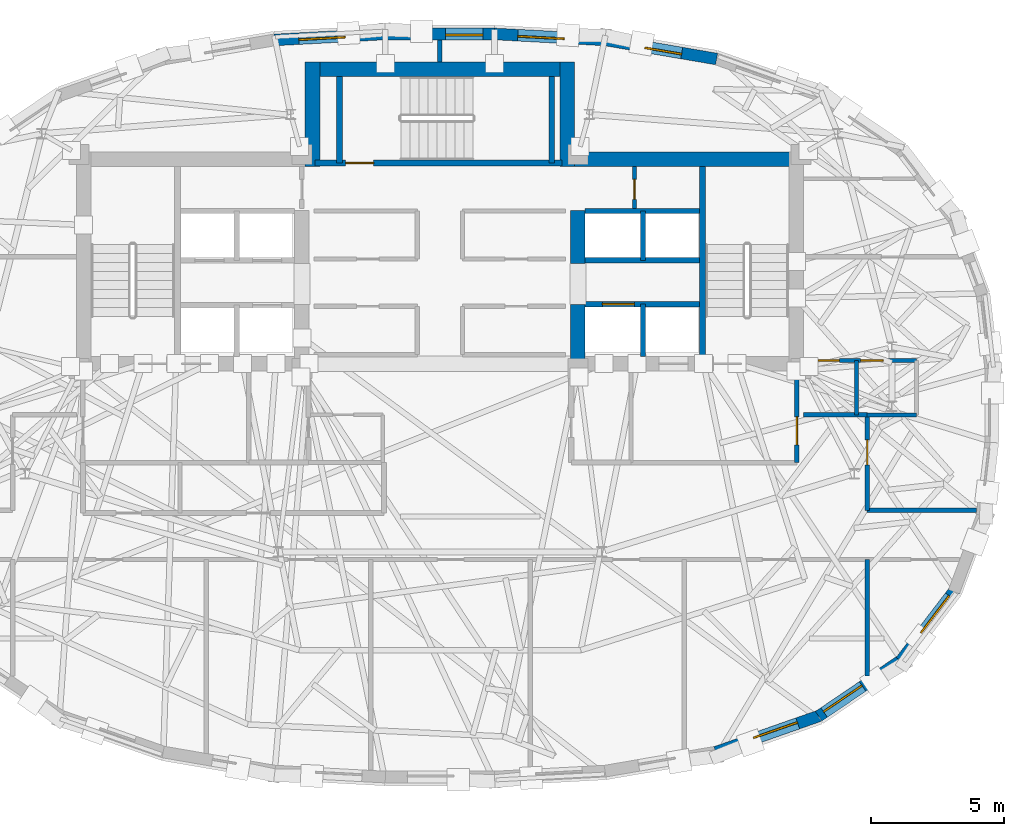
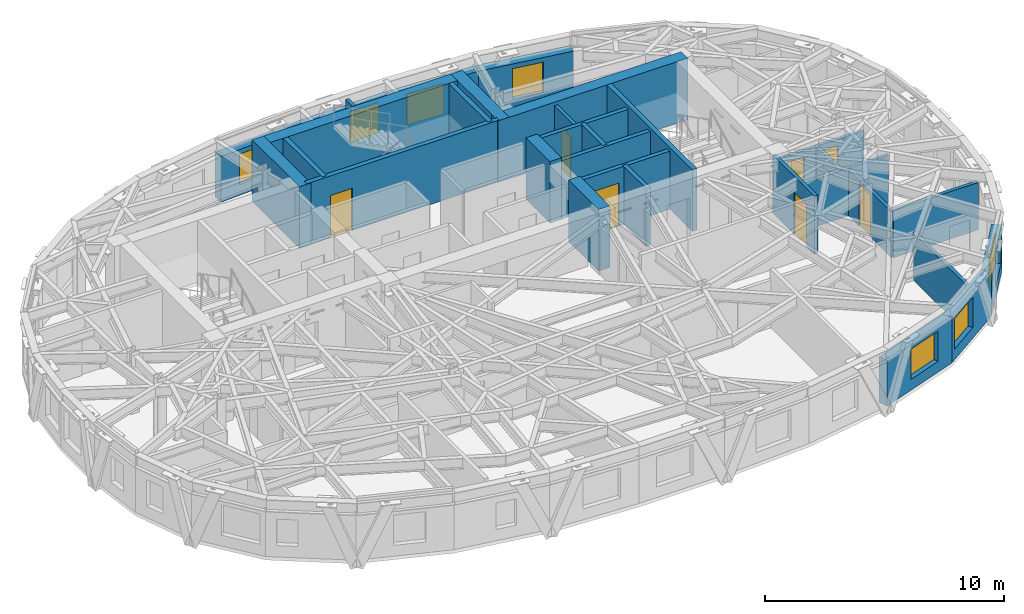
# One storey, part 8 of 12: 32 walls, 7 doors, 7 windows, 14 openings.
"""IFC4 building model written with IfcOpenShell, lengths in metres."""

from ifc_helpers import new_model, si_unit, direction, frame, frame_2d, origin, place, context, subcontext, project, spatial, rectangle, extrude, material, layer, layer_set, type_object, element, fill, save


model = new_model("IFC4")

# Units and contexts
model_context = context("Model", 3, precision=1e-05, world=origin(), true_north=direction((0.0, 1.0)))
body_context = subcontext(model_context, "Body", "Model", "MODEL_VIEW")
ifc_project = project(units=[si_unit("LENGTHUNIT", "METRE"), si_unit("AREAUNIT", "SQUARE_METRE"), si_unit("VOLUMEUNIT", "CUBIC_METRE"), si_unit("PLANEANGLEUNIT", "RADIAN"), si_unit("MASSUNIT", "GRAM", prefix="KILO")], contexts=[model_context])

# Site, building, storey
site_placement = place(None, origin())
site = spatial("IfcSite", under=ifc_project, at=site_placement, CompositionType="ELEMENT")
building_placement = place(site_placement, origin())
building = spatial("IfcBuilding", under=site, at=building_placement, Name="Keldmark Tower", CompositionType="ELEMENT")
storey_placement = place(building_placement, frame((0.0, 0.0, 254.10009765625)))
storey = spatial("IfcBuildingStorey", under=building, at=storey_placement, Name="L72", CompositionType="ELEMENT", Elevation=254.10009765625)

# Walls
ifc_material_1 = material(Name="Concrete C50/60", Category="concrete")
ifc_layer_1 = layer(ifc_material_1, 0.550048828125)
ifc_layer_set_1 = layer_set([ifc_layer_1], Name="Concrete C50/60")
wall_type_1 = type_object("IfcWallType", Name="High-Rise Core Shear Wall 550 mm", PredefinedType="SHEAR", material=ifc_layer_set_1)
wall_1_placement = place(storey_placement, frame((4.52490234375, 9.27490234375, 0.0), z_axis=(0.0, 0.0, 1.0), x_axis=(1.0, 0.0, 0.0)))
element("IfcWall", 1, at=wall_1_placement, inside=storey, type_object=wall_type_1, Name="L72 East Core North Shear Wall", PredefinedType="SHEAR", context=body_context, shape_type="SweptSolid", body=[
    extrude(rectangle(XDim=9.175048828125, YDim=0.550048828125, at=frame_2d((4.58740234375, 0.0))), origin(), (0.0, 0.0, 1.0), 3.14990234375),
])
wall_2_placement = place(storey_placement, frame((5.199951171875, 1.300048828125, 0.0), z_axis=(0.0, 0.0, 1.0), x_axis=(0.0, 1.0, 0.0)))
element("IfcWall", 2, at=wall_2_placement, inside=storey, type_object=wall_type_1, Name="L72 East Core Inner Shear Pier South", PredefinedType="SHEAR", context=body_context, shape_type="SweptSolid", body=[
    extrude(rectangle(XDim=2.5, YDim=0.550048828125, at=frame_2d((1.25, 0.0))), origin(), (0.0, 0.0, 1.0), 3.14990234375),
])
wall_3_placement = place(storey_placement, frame((5.199951171875, 5.35009765625, 0.0), z_axis=(0.0, 0.0, 1.0), x_axis=(0.0, 1.0, 0.0)))
element("IfcWall", 3, at=wall_3_placement, inside=storey, type_object=wall_type_1, Name="L72 East Core Inner Shear Pier North", PredefinedType="SHEAR", context=body_context, shape_type="SweptSolid", body=[
    extrude(rectangle(XDim=2.0, YDim=0.550048828125, at=frame_2d((1.0, 0.0))), origin(), (0.0, 0.0, 1.0), 3.14990234375),
])
wall_4_placement = place(storey_placement, frame((-5.074951171875, 12.675048828125, 0.0), z_axis=(0.0, 0.0, 1.0), x_axis=(1.0, 0.0, 0.0)))
element("IfcWall", 4, at=wall_4_placement, inside=storey, type_object=wall_type_1, Name="L72 North Core Shear Wall", PredefinedType="SHEAR", context=body_context, shape_type="SweptSolid", body=[
    extrude(rectangle(XDim=10.14990234375, YDim=0.550048828125, at=frame_2d((5.074951171875, 0.0))), origin(), (0.0, 0.0, 1.0), 3.14990234375),
])
for number, where, z_axis, x_axis, name in (
    (5, (-4.800048828125, 9.0, 0.0), (0.0, 0.0, 1.0), (0.0, 1.0, 0.0), "L72 North Core West Shear Wall"),
    (6, (4.800048828125, 9.0, 0.0), (0.0, 0.0, 1.0), (0.0, 1.0, 0.0), "L72 North Core East Shear Wall"),
):
    element("IfcWall", number, at=place(storey_placement, frame(where, z_axis=z_axis, x_axis=x_axis)), inside=storey, type_object=wall_type_1, Name=name, PredefinedType="SHEAR", context=body_context, shape_type="SweptSolid", body=[
        extrude(rectangle(XDim=3.949951171875, YDim=0.550048828125, at=frame_2d((1.97509765625, 0.0))), origin(), (0.0, 0.0, 1.0), 3.14990234375),
    ])

# Wall, opening, door
ifc_material_2 = material(Name="Type X Fire-Rated Gypsum Partition Assembly", Category="gypsum")
ifc_layer_2 = layer(ifc_material_2, 0.1650390625)
ifc_layer_set_2 = layer_set([ifc_layer_2], Name="Type X Fire-Rated Gypsum Partition Assembly")
wall_type_2 = type_object("IfcWallType", Name="Rated Partition 165 mm", PredefinedType="PARTITIONING", material=ifc_layer_set_2)
wall_5_placement = place(storey_placement, frame((13.449951171875, -2.14990234375, 0.0), z_axis=(0.0, 0.0, 1.0), x_axis=(0.0, 1.0, 0.0)))
wall_5 = element("IfcWall", 7, at=wall_5_placement, inside=storey, type_object=wall_type_2, Name="L72 Rated Partition 165 mm FSAE-E-E", PredefinedType="PARTITIONING", context=body_context, shape_type="SweptSolid", body=[
    extrude(rectangle(XDim=3.5, YDim=0.1650390625, at=frame_2d((1.75, 0.0))), origin(), (0.0, 0.0, 1.0), 2.969970703125),
])
opening_1_placement = place(wall_5_placement, frame((0.669921875, 0.0, 0.0)))
opening_1 = element("IfcOpeningElement", 8, at=opening_1_placement, cuts=wall_5, Name="Opening D-FL105", PredefinedType="OPENING", context=body_context, shape_type="SweptSolid", body=[
    extrude(rectangle(XDim=1.050048828125, YDim=2.14990234375, at=frame_2d((0.52490234375, 1.074951171875))), frame((0.0, 0.092529296875, 0.0), z_axis=(0.0, -1.0, 0.0), x_axis=(1.0, 0.0, 0.0)), (0.0, 0.0, 1.0), 0.18505859375),
])
ifc_material_3 = material(Name="Fire-Rated Mineral-Core Door and Vision Lite", Category="metal")
door_type_1 = type_object("IfcDoorType", Name="Fire Lobby Door 1050x2150", OperationType="NOTDEFINED", PredefinedType="DOOR", material=ifc_material_3)
door_1_placement = place(opening_1_placement, origin())
door_1 = element("IfcDoor", 9, at=door_1_placement, inside=storey, type_object=door_type_1, Name="L72 Fire Lobby Door 1050x2150 D-FSAEE-OUT-L72", OperationType="SINGLE_SWING_RIGHT", OverallHeight=2.14990234375, OverallWidth=1.050048828125, PredefinedType="DOOR", context=body_context, shape_type="SweptSolid", body=[
    extrude(rectangle(XDim=1.050048828125, YDim=2.14990234375, at=frame_2d((0.52490234375, 1.074951171875))), frame((0.0, 0.02490234375, 0.0), z_axis=(0.0, -1.0, 0.0), x_axis=(1.0, 0.0, 0.0)), (0.0, 0.0, 1.0), 0.050048828125),
])
fill(opening_1, door_1)

wall_6_placement = place(storey_placement, frame((7.330078125, 7.419921875, 0.0), z_axis=(0.0, 0.0, 1.0), x_axis=(0.0, 1.0, 0.0)))
wall_6 = element("IfcWall", 10, at=wall_6_placement, inside=storey, type_object=wall_type_2, Name="L72 Rated Partition 165 mm CS-NE-W", PredefinedType="PARTITIONING", context=body_context, shape_type="SweptSolid", body=[
    extrude(rectangle(XDim=1.580078125, YDim=0.1650390625, at=frame_2d((0.7900390625, 0.0))), origin(), (0.0, 0.0, 1.0), 2.969970703125),
])
opening_2_placement = place(wall_6_placement, frame((0.35009765625, 0.0, 0.0)))
opening_2 = element("IfcOpeningElement", 11, at=opening_2_placement, cuts=wall_6, Name="Opening D-RS075", PredefinedType="OPENING", context=body_context, shape_type="SweptSolid", body=[
    extrude(rectangle(XDim=0.75, YDim=2.10009765625, at=frame_2d((0.375, 1.050048828125))), frame((0.0, 0.092529296875, 0.0), z_axis=(0.0, -1.0, 0.0), x_axis=(1.0, 0.0, 0.0)), (0.0, 0.0, 1.0), 0.18505859375),
])
ifc_material_4 = material(Name="Galvanized Fire-Rated Access Leaf", Category="metal")
door_type_2 = type_object("IfcDoorType", Name="Riser Access Door 750x2100", OperationType="NOTDEFINED", PredefinedType="DOOR", material=ifc_material_4)
door_2_placement = place(opening_2_placement, origin())
door_2 = element("IfcDoor", 12, at=door_2_placement, inside=storey, type_object=door_type_2, Name="L72 Riser Access Door 750x2100 D-CSNE1-L72", OperationType="SINGLE_SWING_RIGHT", OverallHeight=2.10009765625, OverallWidth=0.75, PredefinedType="DOOR", context=body_context, shape_type="SweptSolid", body=[
    extrude(rectangle(XDim=0.75, YDim=2.10009765625, at=frame_2d((0.375, 1.050048828125))), frame((0.0, 0.02490234375, 0.0), z_axis=(0.0, -1.0, 0.0), x_axis=(1.0, 0.0, 0.0)), (0.0, 0.0, 1.0), 0.050048828125),
])
fill(opening_2, door_2)

# Wall
wall_7_placement = place(storey_placement, frame((16.10009765625, -3.949951171875, 0.0), z_axis=(0.0, 0.0, 1.0), x_axis=(1.0, 0.0, 0.0)))
element("IfcWall", 13, at=wall_7_placement, inside=storey, type_object=wall_type_2, Name="L72 Rated Partition 165 mm RCOR-EN-OUT", PredefinedType="PARTITIONING", context=body_context, shape_type="SweptSolid", body=[
    extrude(rectangle(XDim=4.120361328125, YDim=0.1650390625, at=frame_2d((2.06005859375, 0.0))), origin(), (0.0, 0.0, 1.0), 2.4228515625),
])

# Wall, opening, door
wall_8_placement = place(storey_placement, frame((16.10009765625, -3.949951171875, 0.0), z_axis=(0.0, 0.0, 1.0), x_axis=(0.0, 1.0, 0.0)))
wall_8 = element("IfcWall", 14, at=wall_8_placement, inside=storey, type_object=wall_type_2, Name="L72 Rated Partition 165 mm RCOR-VE", PredefinedType="PARTITIONING", context=body_context, shape_type="SweptSolid", body=[
    extrude(rectangle(XDim=3.599853515625, YDim=0.1650390625, at=frame_2d((1.7998046875, 0.0))), origin(), (0.0, 0.0, 1.0), 2.35693359375),
])
opening_3_placement = place(wall_8_placement, frame((1.7099609375, 0.0, 0.0)))
opening_3 = element("IfcOpeningElement", 15, at=opening_3_placement, cuts=wall_8, Name="Opening D-AP095", PredefinedType="OPENING", context=body_context, shape_type="SweptSolid", body=[
    extrude(rectangle(XDim=0.949951171875, YDim=2.14990234375, at=frame_2d((0.47509765625, 1.074951171875))), frame((0.0, 0.092529296875, 0.0), z_axis=(0.0, -1.0, 0.0), x_axis=(1.0, 0.0, 0.0)), (0.0, 0.0, 1.0), 0.18505859375),
])
ifc_material_5 = material(Name="Solid-Core Walnut Fire-Rated Entry Assembly", Category="wood")
door_type_3 = type_object("IfcDoorType", Name="Apartment Entry Door 950x2150", OperationType="NOTDEFINED", PredefinedType="DOOR", material=ifc_material_5)
door_3_placement = place(opening_3_placement, origin())
door_3 = element("IfcDoor", 16, at=door_3_placement, inside=storey, type_object=door_type_3, Name="L72 Apartment Entry Door 950x2150 D-UA-ENT-L72", OperationType="SINGLE_SWING_RIGHT", OverallHeight=2.14990234375, OverallWidth=0.949951171875, PredefinedType="DOOR", context=body_context, shape_type="SweptSolid", body=[
    extrude(rectangle(XDim=0.949951171875, YDim=2.14990234375, at=frame_2d((0.47509765625, 1.074951171875))), frame((0.0, 0.02490234375, 0.0), z_axis=(0.0, -1.0, 0.0), x_axis=(1.0, 0.0, 0.0)), (0.0, 0.0, 1.0), 0.050048828125),
])
fill(opening_3, door_3)

# Walls
wall_9_placement = place(storey_placement, frame((13.699951171875, -0.35009765625, 0.0), z_axis=(0.0, 0.0, 1.0), x_axis=(1.0, 0.0, 0.0)))
element("IfcWall", 17, at=wall_9_placement, inside=storey, type_object=wall_type_2, Name="L72 Rated Partition 165 mm RCOR-VEN", PredefinedType="PARTITIONING", context=body_context, shape_type="SweptSolid", body=[
    extrude(rectangle(XDim=2.400146484375, YDim=0.1650390625, at=frame_2d((1.2001953125, 0.0))), origin(), (0.0, 0.0, 1.0), 2.4228515625),
])
wall_10_placement = place(storey_placement, frame((0.0, 12.949951171875, 0.0), z_axis=(0.0, 0.0, 1.0), x_axis=(0.0, 1.0, 0.0)))
element("IfcWall", 18, at=wall_10_placement, inside=storey, type_object=wall_type_2, Name="L72 Rated Partition 165 mm RN-DIV", PredefinedType="PARTITIONING", context=body_context, shape_type="SweptSolid", body=[
    extrude(rectangle(XDim=0.82080078125, YDim=0.1650390625, at=frame_2d((0.410400390625, 0.0))), origin(), (0.0, 0.0, 1.0), 2.969970703125),
])
wall_11_placement = place(storey_placement, frame((16.10009765625, -10.191162109375, 0.0), z_axis=(0.0, 0.0, 1.0), x_axis=(0.0, 1.0, 0.0)))
element("IfcWall", 19, at=wall_11_placement, inside=storey, type_object=wall_type_2, Name="L72 Rated Partition 165 mm RS-ECAP", PredefinedType="PARTITIONING", context=body_context, shape_type="SweptSolid", body=[
    extrude(rectangle(XDim=4.39111328125, YDim=0.1650390625, at=frame_2d((2.195556640625, 0.0))), origin(), (0.0, 0.0, 1.0), 2.4228515625),
])

# Wall, opening, door
ifc_material_6 = material(Name="Fire-Resistant Type X Gypsum Shaftliner Coreboard", Category="gypsum")
ifc_layer_3 = layer(ifc_material_6, 0.199951171875)
ifc_layer_set_3 = layer_set([ifc_layer_3], Name="Fire-Resistant Type X Gypsum Shaftliner Coreboard")
wall_type_3 = type_object("IfcWallType", Name="Shaft Wall 200 mm", PredefinedType="SOLIDWALL", material=ifc_layer_set_3)
wall_12_placement = place(storey_placement, frame((5.47509765625, 3.820068359375, 0.0), z_axis=(0.0, 0.0, 1.0), x_axis=(1.0, 0.0, 0.0)))
wall_12 = element("IfcWall", 20, at=wall_12_placement, inside=storey, type_object=wall_type_3, Name="L72 Shaft Wall 200 mm HW-E-S", PredefinedType="SOLIDWALL", context=body_context, shape_type="SweptSolid", body=[
    extrude(rectangle(XDim=4.304931640625, YDim=0.199951171875, at=frame_2d((2.15234375, 0.0))), origin(), (0.0, 0.0, 1.0), 2.969970703125),
])
opening_4_placement = place(wall_12_placement, frame((0.64990234375, 0.0, 0.0)))
opening_4 = element("IfcOpeningElement", 21, at=opening_4_placement, cuts=wall_12, Name="Opening LD-120", PredefinedType="OPENING", context=body_context, shape_type="SweptSolid", body=[
    extrude(rectangle(XDim=1.199951171875, YDim=2.199951171875, at=frame_2d((0.60009765625, 1.10009765625))), frame((0.0, 0.10986328125, 0.0), z_axis=(0.0, -1.0, 0.0), x_axis=(1.0, 0.0, 0.0)), (0.0, 0.0, 1.0), 0.219970703125),
])
ifc_material_7 = material(Name="Heavy-Duty Brushed Metal Hoistway Sliding Leaf", Category="metal")
door_type_4 = type_object("IfcDoorType", Name="Service Lift Sliding Door 1200x2200", OperationType="SLIDING_TO_RIGHT", PredefinedType="DOOR", material=ifc_material_7)
door_4_placement = place(opening_4_placement, origin())
door_4 = element("IfcDoor", 22, at=door_4_placement, inside=storey, type_object=door_type_4, Name="L72 Service Lift Sliding Door 1200x2200 LD-EL-SV1-L72", OperationType="SLIDING_TO_RIGHT", OverallHeight=2.199951171875, OverallWidth=1.199951171875, PredefinedType="DOOR", context=body_context, shape_type="SweptSolid", body=[
    extrude(rectangle(XDim=1.199951171875, YDim=2.199951171875, at=frame_2d((0.60009765625, 1.10009765625))), frame((0.0, 0.02490234375, 0.0), z_axis=(0.0, -1.0, 0.0), x_axis=(1.0, 0.0, 0.0)), (0.0, 0.0, 1.0), 0.050048828125),
])
fill(opening_4, door_4)

# Walls
wall_13_placement = place(storey_placement, frame((7.64990234375, 1.85009765625, 0.0), z_axis=(0.0, 0.0, 1.0), x_axis=(0.0, 1.0, 0.0)))
element("IfcWall", 23, at=wall_13_placement, inside=storey, type_object=wall_type_3, Name="L72 Shaft Wall 200 mm HW-E-M", PredefinedType="SOLIDWALL", context=body_context, shape_type="SweptSolid", body=[
    extrude(rectangle(XDim=1.969970703125, YDim=0.199951171875, at=frame_2d((0.98486328125, 0.0))), origin(), (0.0, 0.0, 1.0), 2.969970703125),
])
for number, where, z_axis, x_axis, name in (
    (24, (5.47509765625, 5.469970703125, 0.0), (0.0, 0.0, 1.0), (1.0, 0.0, 0.0), "L72 Shaft Wall 200 mm HW-E-N"),
    (25, (5.47509765625, 7.330078125, 0.0), (0.0, 0.0, 1.0), (1.0, 0.0, 0.0), "L72 Shaft Wall 200 mm HW-E-TOP"),
):
    element("IfcWall", number, at=place(storey_placement, frame(where, z_axis=z_axis, x_axis=x_axis)), inside=storey, type_object=wall_type_3, Name=name, PredefinedType="SOLIDWALL", context=body_context, shape_type="SweptSolid", body=[
        extrude(rectangle(XDim=4.304931640625, YDim=0.199951171875, at=frame_2d((2.15234375, 0.0))), origin(), (0.0, 0.0, 1.0), 2.969970703125),
    ])
wall_14_placement = place(storey_placement, frame((7.64990234375, 5.469970703125, 0.0), z_axis=(0.0, 0.0, 1.0), x_axis=(0.0, 1.0, 0.0)))
element("IfcWall", 26, at=wall_14_placement, inside=storey, type_object=wall_type_3, Name="L72 Shaft Wall 200 mm HW-E-NM", PredefinedType="SOLIDWALL", context=body_context, shape_type="SweptSolid", body=[
    extrude(rectangle(XDim=1.860107421875, YDim=0.199951171875, at=frame_2d((0.93017578125, 0.0))), origin(), (0.0, 0.0, 1.0), 2.969970703125),
])
ifc_material_8 = material(Name="Concrete C50/60", Category="concrete")
ifc_layer_4 = layer(ifc_material_8, 0.219970703125)
ifc_layer_set_4 = layer_set([ifc_layer_4], Name="Concrete C50/60")
wall_type_4 = type_object("IfcWallType", Name="Stair Core Shear Wall 220 mm", PredefinedType="SHEAR", material=ifc_layer_set_4)
wall_15_placement = place(storey_placement, frame((9.889892578125, 1.85009765625, 0.0), z_axis=(0.0, 0.0, 1.0), x_axis=(0.0, 1.0, 0.0)))
element("IfcWall", 27, at=wall_15_placement, inside=storey, type_object=wall_type_4, Name="L72 East Stair Core Shear Wall", PredefinedType="SHEAR", context=body_context, shape_type="SweptSolid", body=[
    extrude(rectangle(XDim=7.14990234375, YDim=0.219970703125, at=frame_2d((3.574951171875, 0.0))), origin(), (0.0, 0.0, 1.0), 3.14990234375),
])

# Wall, opening, door
wall_16_placement = place(storey_placement, frame((-4.699951171875, 9.139892578125, 0.0), z_axis=(0.0, 0.0, 1.0), x_axis=(1.0, 0.0, 0.0)))
wall_16 = element("IfcWall", 28, at=wall_16_placement, inside=storey, type_object=wall_type_4, Name="L72 Central Stair Core South Shear Wall", PredefinedType="SHEAR", context=body_context, shape_type="SweptSolid", body=[
    extrude(rectangle(XDim=9.300048828125, YDim=0.219970703125, at=frame_2d((4.64990234375, 0.0))), origin(), (0.0, 0.0, 1.0), 3.14990234375),
])
opening_5_placement = place(wall_16_placement, frame((1.14990234375, 0.0, 0.0)))
opening_5 = element("IfcOpeningElement", 29, at=opening_5_placement, cuts=wall_16, Name="Opening D-ST105", PredefinedType="OPENING", context=body_context, shape_type="SweptSolid", body=[
    extrude(rectangle(XDim=1.050048828125, YDim=2.14990234375, at=frame_2d((0.52490234375, 1.074951171875))), frame((0.0, 0.119873046875, 0.0), z_axis=(0.0, -1.0, 0.0), x_axis=(1.0, 0.0, 0.0)), (0.0, 0.0, 1.0), 0.239990234375),
])
ifc_material_9 = material(Name="Hollow Metal Fire-Rated Door Assembly", Category="metal")
door_type_5 = type_object("IfcDoorType", Name="Stair Fire Door 1050x2150", OperationType="NOTDEFINED", PredefinedType="DOOR", material=ifc_material_9)
door_5_placement = place(opening_5_placement, origin())
door_5 = element("IfcDoor", 30, at=door_5_placement, inside=storey, type_object=door_type_5, Name="L72 Stair Fire Door 1050x2150 D-ST3-L72", OperationType="SINGLE_SWING_LEFT", OverallHeight=2.14990234375, OverallWidth=1.050048828125, PredefinedType="DOOR", context=body_context, shape_type="SweptSolid", body=[
    extrude(rectangle(XDim=1.050048828125, YDim=2.14990234375, at=frame_2d((0.52490234375, 1.074951171875))), frame((0.0, 0.02490234375, 0.0), z_axis=(0.0, -1.0, 0.0), x_axis=(1.0, 0.0, 0.0)), (0.0, 0.0, 1.0), 0.050048828125),
])
fill(opening_5, door_5)

# Walls
for number, where, z_axis, x_axis, name in (
    (31, (-3.784912109375, 9.139892578125, 0.0), (0.0, 0.0, 1.0), (0.0, 1.0, 0.0), "L72 Central Stair Core West Shear Wall"),
    (32, (4.215087890625, 9.139892578125, 0.0), (0.0, 0.0, 1.0), (0.0, 1.0, 0.0), "L72 Central Stair Core East Shear Wall"),
):
    element("IfcWall", number, at=place(storey_placement, frame(where, z_axis=z_axis, x_axis=x_axis)), inside=storey, type_object=wall_type_4, Name=name, PredefinedType="SHEAR", context=body_context, shape_type="SweptSolid", body=[
        extrude(rectangle(XDim=3.260009765625, YDim=0.219970703125, at=frame_2d((1.6298828125, 0.0))), origin(), (0.0, 0.0, 1.0), 3.14990234375),
    ])

# Wall, opening, window
ifc_material_10 = material(Name="Ironspot Manganese Brick and Kasota Buff Limestone Spandrel Assembly", Category="masonry")
ifc_layer_5 = layer(ifc_material_10, 0.43994140625)
ifc_layer_set_5 = layer_set([ifc_layer_5], Name="Ironspot Manganese Brick and Kasota Buff Limestone Spandrel Assembly")
wall_type_5 = type_object("IfcWallType", Name="Tower Brick Pier and Spandrel Wall 440 mm", PredefinedType="STANDARD", material=ifc_layer_set_5)
wall_17_placement = place(storey_placement, frame((6.222900390625, 13.775146484375, 0.0), z_axis=(0.0, 0.0, 1.0), x_axis=(0.985601268854, -0.169086187587, 0.0)))
wall_17 = element("IfcWall", 33, at=wall_17_placement, inside=storey, type_object=wall_type_5, Name="L72 Exterior Brick and Spandrel Wall 06", PredefinedType="STANDARD", context=body_context, shape_type="SweptSolid", body=[
    extrude(rectangle(XDim=4.263671875, YDim=0.43994140625, at=frame_2d((2.1318359375, 0.0))), origin(), (0.0, 0.0, 1.0), 2.3359375),
])
opening_6_placement = place(wall_17_placement, frame((1.5302734375, 0.0, 0.550048828125)))
opening_6 = element("IfcOpeningElement", 34, at=opening_6_placement, cuts=wall_17, Name="Opening W-08", PredefinedType="OPENING", context=body_context, shape_type="SweptSolid", body=[
    extrude(rectangle(XDim=1.39990234375, YDim=1.550048828125, at=frame_2d((0.699951171875, 0.77490234375))), frame((0.0, 0.22998046875, 0.0), z_axis=(0.0, -1.0, 0.0), x_axis=(1.0, 0.0, 0.0)), (0.0, 0.0, 1.0), 0.4599609375),
])
ifc_material_11 = material(Name="Thermally Broken Anodized Aluminum and Triple Low-E Argon Glazing", Category="aluminium")
window_type_1 = type_object("IfcWindowType", Name="Residential Corner Punched Window 1400x1550", PartitioningType="SINGLE_PANEL", PredefinedType="WINDOW", material=ifc_material_11)
window_1_placement = place(opening_6_placement, origin())
window_1 = element("IfcWindow", 35, at=window_1_placement, inside=storey, type_object=window_type_1, Name="L72 Deep-Set Window 06", OverallHeight=1.550048828125, OverallWidth=1.39990234375, PartitioningType="SINGLE_PANEL", PredefinedType="WINDOW", context=body_context, shape_type="SweptSolid", body=[
    extrude(rectangle(XDim=1.39990234375, YDim=1.550048828125, at=frame_2d((0.699951171875, 0.77490234375))), frame((0.0, -0.010009765625, 0.0), z_axis=(0.0, -1.0, 0.0), x_axis=(1.0, 0.0, 0.0)), (0.0, 0.0, 1.0), 0.06005859375),
])
fill(opening_6, window_1)

wall_18_placement = place(storey_placement, frame((2.0537109375, 13.9990234375, 0.0), z_axis=(0.0, 0.0, 1.0), x_axis=(0.998541341871, -0.05399248627, 0.0)))
wall_18 = element("IfcWall", 36, at=wall_18_placement, inside=storey, type_object=wall_type_5, Name="L72 Exterior Brick and Spandrel Wall 07", PredefinedType="STANDARD", context=body_context, shape_type="SweptSolid", body=[
    extrude(rectangle(XDim=4.20068359375, YDim=0.43994140625, at=frame_2d((2.100341796875, 0.0))), origin(), (0.0, 0.0, 1.0), 2.3359375),
])
opening_7_placement = place(wall_18_placement, frame((0.883544921875, 0.0, 0.550048828125)))
opening_7 = element("IfcOpeningElement", 37, at=opening_7_placement, cuts=wall_18, Name="Opening W-05", PredefinedType="OPENING", context=body_context, shape_type="SweptSolid", body=[
    extrude(rectangle(XDim=1.75, YDim=1.550048828125, at=frame_2d((0.875, 0.77490234375))), frame((0.0, 0.22998046875, 0.0), z_axis=(0.0, -1.0, 0.0), x_axis=(1.0, 0.0, 0.0)), (0.0, 0.0, 1.0), 0.4599609375),
])
ifc_material_12 = material(Name="Thermally Broken Anodized Aluminum and Triple Low-E Argon Glazing", Category="aluminium")
window_type_2 = type_object("IfcWindowType", Name="Residential Deep-Set Window 1750x1550", PartitioningType="DOUBLE_PANEL_VERTICAL", PredefinedType="WINDOW", material=ifc_material_12)
window_2_placement = place(opening_7_placement, origin())
window_2 = element("IfcWindow", 38, at=window_2_placement, inside=storey, type_object=window_type_2, Name="L72 Deep-Set Window 07", OverallHeight=1.550048828125, OverallWidth=1.75, PartitioningType="SINGLE_PANEL", PredefinedType="WINDOW", context=body_context, shape_type="SweptSolid", body=[
    extrude(rectangle(XDim=1.75, YDim=1.550048828125, at=frame_2d((0.875, 0.77490234375))), frame((0.0, -0.010009765625, 0.0), z_axis=(0.0, -1.0, 0.0), x_axis=(1.0, 0.0, 0.0)), (0.0, 0.0, 1.0), 0.06005859375),
])
fill(opening_7, window_2)

wall_19_placement = place(storey_placement, frame((-2.0654296875, 13.998779296875, 0.0), z_axis=(0.0, 0.0, 1.0), x_axis=(1.0, 0.0, 0.0)))
wall_19 = element("IfcWall", 39, at=wall_19_placement, inside=storey, type_object=wall_type_5, Name="L72 Exterior Brick and Spandrel Wall 08", PredefinedType="STANDARD", context=body_context, shape_type="SweptSolid", body=[
    extrude(rectangle(XDim=4.130859375, YDim=0.43994140625, at=frame_2d((2.0654296875, 0.0))), origin(), (0.0, 0.0, 1.0), 2.3359375),
])
opening_8_placement = place(wall_19_placement, frame((2.282958984375, 0.0, 0.580078125)))
opening_8 = element("IfcOpeningElement", 40, at=opening_8_placement, cuts=wall_19, Name="Opening W-08", PredefinedType="OPENING", context=body_context, shape_type="SweptSolid", body=[
    extrude(rectangle(XDim=1.39990234375, YDim=1.550048828125, at=frame_2d((0.699951171875, 0.77490234375))), frame((0.0, 0.22998046875, 0.0), z_axis=(0.0, -1.0, 0.0), x_axis=(1.0, 0.0, 0.0)), (0.0, 0.0, 1.0), 0.4599609375),
])
window_3_placement = place(opening_8_placement, origin())
window_3 = element("IfcWindow", 41, at=window_3_placement, inside=storey, type_object=window_type_1, Name="L72 Deep-Set Window 08", OverallHeight=1.550048828125, OverallWidth=1.39990234375, PartitioningType="SINGLE_PANEL", PredefinedType="WINDOW", context=body_context, shape_type="SweptSolid", body=[
    extrude(rectangle(XDim=1.39990234375, YDim=1.550048828125, at=frame_2d((0.699951171875, 0.77490234375))), frame((0.0, -0.010009765625, 0.0), z_axis=(0.0, -1.0, 0.0), x_axis=(1.0, 0.0, 0.0)), (0.0, 0.0, 1.0), 0.06005859375),
])
fill(opening_8, window_3)

wall_20_placement = place(storey_placement, frame((-6.248291015625, 13.772216796875, 0.0), z_axis=(0.0, 0.0, 1.0), x_axis=(0.998541341871, 0.05399248627, 0.0)))
wall_20 = element("IfcWall", 42, at=wall_20_placement, inside=storey, type_object=wall_type_5, Name="L72 Exterior Brick and Spandrel Wall 09", PredefinedType="STANDARD", context=body_context, shape_type="SweptSolid", body=[
    extrude(rectangle(XDim=4.20068359375, YDim=0.43994140625, at=frame_2d((2.100341796875, 0.0))), origin(), (0.0, 0.0, 1.0), 2.3359375),
])
opening_9_placement = place(wall_20_placement, frame((0.932373046875, 0.0, 0.550048828125)))
opening_9 = element("IfcOpeningElement", 43, at=opening_9_placement, cuts=wall_20, Name="Opening W-05", PredefinedType="OPENING", context=body_context, shape_type="SweptSolid", body=[
    extrude(rectangle(XDim=1.75, YDim=1.550048828125, at=frame_2d((0.875, 0.77490234375))), frame((0.0, 0.22998046875, 0.0), z_axis=(0.0, -1.0, 0.0), x_axis=(1.0, 0.0, 0.0)), (0.0, 0.0, 1.0), 0.4599609375),
])
window_4_placement = place(opening_9_placement, origin())
window_4 = element("IfcWindow", 44, at=window_4_placement, inside=storey, type_object=window_type_2, Name="L72 Deep-Set Window 09", OverallHeight=1.550048828125, OverallWidth=1.75, PartitioningType="SINGLE_PANEL", PredefinedType="WINDOW", context=body_context, shape_type="SweptSolid", body=[
    extrude(rectangle(XDim=1.75, YDim=1.550048828125, at=frame_2d((0.875, 0.77490234375))), frame((0.0, -0.010009765625, 0.0), z_axis=(0.0, -1.0, 0.0), x_axis=(1.0, 0.0, 0.0)), (0.0, 0.0, 1.0), 0.06005859375),
])
fill(opening_9, window_4)

wall_21_placement = place(storey_placement, frame((14.319580078125, -11.6826171875, 0.0), z_axis=(0.0, 0.0, 1.0), x_axis=(-0.943461130408, -0.331483175152, 0.0)))
wall_21 = element("IfcWall", 45, at=wall_21_placement, inside=storey, type_object=wall_type_5, Name="L72 Exterior Brick and Spandrel Wall 27", PredefinedType="STANDARD", context=body_context, shape_type="SweptSolid", body=[
    extrude(rectangle(XDim=4.165771484375, YDim=0.43994140625, at=frame_2d((2.0830078125, 0.0))), origin(), (0.0, 0.0, 1.0), 2.3359375),
])
opening_10_placement = place(wall_21_placement, frame((0.88818359375, 0.0, 0.550048828125)))
opening_10 = element("IfcOpeningElement", 46, at=opening_10_placement, cuts=wall_21, Name="Opening W-05", PredefinedType="OPENING", context=body_context, shape_type="SweptSolid", body=[
    extrude(rectangle(XDim=1.75, YDim=1.550048828125, at=frame_2d((0.875, 0.77490234375))), frame((0.0, 0.22998046875, 0.0), z_axis=(0.0, -1.0, 0.0), x_axis=(1.0, 0.0, 0.0)), (0.0, 0.0, 1.0), 0.4599609375),
])
window_5_placement = place(opening_10_placement, origin())
window_5 = element("IfcWindow", 47, at=window_5_placement, inside=storey, type_object=window_type_2, Name="L72 Deep-Set Window 27", OverallHeight=1.550048828125, OverallWidth=1.75, PartitioningType="SINGLE_PANEL", PredefinedType="WINDOW", context=body_context, shape_type="SweptSolid", body=[
    extrude(rectangle(XDim=1.75, YDim=1.550048828125, at=frame_2d((0.875, 0.77490234375))), frame((0.0, -0.010009765625, 0.0), z_axis=(0.0, -1.0, 0.0), x_axis=(1.0, 0.0, 0.0)), (0.0, 0.0, 1.0), 0.06005859375),
])
fill(opening_10, window_5)

wall_22_placement = place(storey_placement, frame((17.413818359375, -9.575927734375, 0.0), z_axis=(0.0, 0.0, 1.0), x_axis=(-0.827695346596, -0.561177702001, 0.0)))
wall_22 = element("IfcWall", 48, at=wall_22_placement, inside=storey, type_object=wall_type_5, Name="L72 Exterior Brick and Spandrel Wall 28", PredefinedType="STANDARD", context=body_context, shape_type="SweptSolid", body=[
    extrude(rectangle(XDim=3.7998046875, YDim=0.43994140625, at=frame_2d((1.89990234375, 0.0))), origin(), (0.0, 0.0, 1.0), 2.3359375),
])
opening_11_placement = place(wall_22_placement, frame((1.799560546875, 0.0, 0.550048828125)))
opening_11 = element("IfcOpeningElement", 49, at=opening_11_placement, cuts=wall_22, Name="Opening W-05", PredefinedType="OPENING", context=body_context, shape_type="SweptSolid", body=[
    extrude(rectangle(XDim=1.75, YDim=1.550048828125, at=frame_2d((0.875, 0.77490234375))), frame((0.0, 0.22998046875, 0.0), z_axis=(0.0, -1.0, 0.0), x_axis=(1.0, 0.0, 0.0)), (0.0, 0.0, 1.0), 0.4599609375),
])
window_6_placement = place(opening_11_placement, origin())
window_6 = element("IfcWindow", 50, at=window_6_placement, inside=storey, type_object=window_type_2, Name="L72 Deep-Set Window 28", OverallHeight=1.550048828125, OverallWidth=1.75, PartitioningType="SINGLE_PANEL", PredefinedType="WINDOW", context=body_context, shape_type="SweptSolid", body=[
    extrude(rectangle(XDim=1.75, YDim=1.550048828125, at=frame_2d((0.875, 0.77490234375))), frame((0.0, -0.010009765625, 0.0), z_axis=(0.0, -1.0, 0.0), x_axis=(1.0, 0.0, 0.0)), (0.0, 0.0, 1.0), 0.06005859375),
])
fill(opening_11, window_6)

wall_23_placement = place(storey_placement, frame((19.39892578125, -6.9599609375, 0.0), z_axis=(0.0, 0.0, 1.0), x_axis=(-0.607266352304, -0.794498318034, 0.0)))
wall_23 = element("IfcWall", 51, at=wall_23_placement, inside=storey, type_object=wall_type_5, Name="L72 Exterior Brick and Spandrel Wall 29", PredefinedType="STANDARD", context=body_context, shape_type="SweptSolid", body=[
    extrude(rectangle(XDim=3.353759765625, YDim=0.43994140625, at=frame_2d((1.6767578125, 0.0))), origin(), (0.0, 0.0, 1.0), 2.3359375),
])
opening_12_placement = place(wall_23_placement, frame((0.29638671875, 0.0, 0.550048828125)))
opening_12 = element("IfcOpeningElement", 52, at=opening_12_placement, cuts=wall_23, Name="Opening W-05", PredefinedType="OPENING", context=body_context, shape_type="SweptSolid", body=[
    extrude(rectangle(XDim=1.75, YDim=1.550048828125, at=frame_2d((0.875, 0.77490234375))), frame((0.0, 0.22998046875, 0.0), z_axis=(0.0, -1.0, 0.0), x_axis=(1.0, 0.0, 0.0)), (0.0, 0.0, 1.0), 0.4599609375),
])
window_7_placement = place(opening_12_placement, origin())
window_7 = element("IfcWindow", 53, at=window_7_placement, inside=storey, type_object=window_type_2, Name="L72 Deep-Set Window 29", OverallHeight=1.550048828125, OverallWidth=1.75, PartitioningType="SINGLE_PANEL", PredefinedType="WINDOW", context=body_context, shape_type="SweptSolid", body=[
    extrude(rectangle(XDim=1.75, YDim=1.550048828125, at=frame_2d((0.875, 0.77490234375))), frame((0.0, -0.010009765625, 0.0), z_axis=(0.0, -1.0, 0.0), x_axis=(1.0, 0.0, 0.0)), (0.0, 0.0, 1.0), 0.06005859375),
])
fill(opening_12, window_7)

# Wall, openings, doors
ifc_material_13 = material(Name="Moisture-Resistant Gypsum Plumbing Partition", Category="gypsum")
ifc_layer_6 = layer(ifc_material_13, 0.14990234375)
ifc_layer_set_6 = layer_set([ifc_layer_6], Name="Moisture-Resistant Gypsum Plumbing Partition")
wall_type_6 = type_object("IfcWallType", Name="Wet Wall 150 mm", PredefinedType="PLUMBINGWALL", material=ifc_layer_set_6)
wall_24_placement = place(storey_placement, frame((13.699951171875, 1.699951171875, 0.0), z_axis=(0.0, 0.0, 1.0), x_axis=(1.0, 0.0, 0.0)))
wall_24 = element("IfcWall", 54, at=wall_24_placement, inside=storey, type_object=wall_type_6, Name="L72 Wet Wall 150 mm UA-BK-N", PredefinedType="PLUMBINGWALL", context=body_context, shape_type="SweptSolid", body=[
    extrude(rectangle(XDim=4.25, YDim=0.14990234375, at=frame_2d((2.125, 0.0))), origin(), (0.0, 0.0, 1.0), 2.4228515625),
])
opening_13_placement = place(wall_24_placement, frame((0.550048828125, 0.0, 0.0)))
opening_13 = element("IfcOpeningElement", 55, at=opening_13_placement, cuts=wall_24, Name="Opening D-BT080", PredefinedType="OPENING", context=body_context, shape_type="SweptSolid", body=[
    extrude(rectangle(XDim=0.800048828125, YDim=2.10009765625, at=frame_2d((0.39990234375, 1.050048828125))), frame((0.0, 0.0849609375, 0.0), z_axis=(0.0, -1.0, 0.0), x_axis=(1.0, 0.0, 0.0)), (0.0, 0.0, 1.0), 0.169921875),
])
opening_14_placement = place(wall_24_placement, frame((2.14990234375, 0.0, 0.0)))
opening_14 = element("IfcOpeningElement", 56, at=opening_14_placement, cuts=wall_24, Name="Opening D-IN085", PredefinedType="OPENING", context=body_context, shape_type="SweptSolid", body=[
    extrude(rectangle(XDim=0.85009765625, YDim=2.10009765625, at=frame_2d((0.425048828125, 1.050048828125))), frame((0.0, 0.0849609375, 0.0), z_axis=(0.0, -1.0, 0.0), x_axis=(1.0, 0.0, 0.0)), (0.0, 0.0, 1.0), 0.169921875),
])
ifc_material_14 = material(Name="Moisture-Sealed Stained Wood", Category="wood")
door_type_6 = type_object("IfcDoorType", Name="Bathroom Door 800x2100", OperationType="NOTDEFINED", PredefinedType="DOOR", material=ifc_material_14)
door_6_placement = place(opening_13_placement, origin())
door_6 = element("IfcDoor", 57, at=door_6_placement, inside=storey, type_object=door_type_6, Name="L72 Bathroom Door 800x2100 D-UA-BATH-L72", OperationType="SINGLE_SWING_RIGHT", OverallHeight=2.10009765625, OverallWidth=0.800048828125, PredefinedType="DOOR", context=body_context, shape_type="SweptSolid", body=[
    extrude(rectangle(XDim=0.800048828125, YDim=2.10009765625, at=frame_2d((0.39990234375, 1.050048828125))), frame((0.0, 0.02490234375, 0.0), z_axis=(0.0, -1.0, 0.0), x_axis=(1.0, 0.0, 0.0)), (0.0, 0.0, 1.0), 0.050048828125),
])
fill(opening_13, door_6)
ifc_material_15 = material(Name="Painted Architectural Wood", Category="wood")
door_type_7 = type_object("IfcDoorType", Name="Interior Door 850x2100", OperationType="NOTDEFINED", PredefinedType="DOOR", material=ifc_material_15)
door_7_placement = place(opening_14_placement, origin())
door_7 = element("IfcDoor", 58, at=door_7_placement, inside=storey, type_object=door_type_7, Name="L72 Interior Door 850x2100 D-UA-KIT-L72", OperationType="SINGLE_SWING_LEFT", OverallHeight=2.10009765625, OverallWidth=0.85009765625, PredefinedType="DOOR", context=body_context, shape_type="SweptSolid", body=[
    extrude(rectangle(XDim=0.85009765625, YDim=2.10009765625, at=frame_2d((0.425048828125, 1.050048828125))), frame((0.0, 0.02490234375, 0.0), z_axis=(0.0, -1.0, 0.0), x_axis=(1.0, 0.0, 0.0)), (0.0, 0.0, 1.0), 0.050048828125),
])
fill(opening_14, door_7)

# Walls
wall_25_placement = place(storey_placement, frame((16.10009765625, -0.35009765625, 0.0), z_axis=(0.0, 0.0, 1.0), x_axis=(1.0, 0.0, 0.0)))
element("IfcWall", 59, at=wall_25_placement, inside=storey, type_object=wall_type_6, Name="L72 Wet Wall 150 mm UA-BK-S", PredefinedType="PLUMBINGWALL", context=body_context, shape_type="SweptSolid", body=[
    extrude(rectangle(XDim=1.849853515625, YDim=0.14990234375, at=frame_2d((0.9248046875, 0.0))), origin(), (0.0, 0.0, 1.0), 2.4228515625),
])
wall_26_placement = place(storey_placement, frame((15.699951171875, -0.35009765625, 0.0), z_axis=(0.0, 0.0, 1.0), x_axis=(0.0, 1.0, 0.0)))
element("IfcWall", 60, at=wall_26_placement, inside=storey, type_object=wall_type_6, Name="L72 Wet Wall 150 mm UA-BK-M", PredefinedType="PLUMBINGWALL", context=body_context, shape_type="SweptSolid", body=[
    extrude(rectangle(XDim=2.050048828125, YDim=0.14990234375, at=frame_2d((1.02490234375, 0.0))), origin(), (0.0, 0.0, 1.0), 2.4228515625),
])

save(model, "model.ifc")
